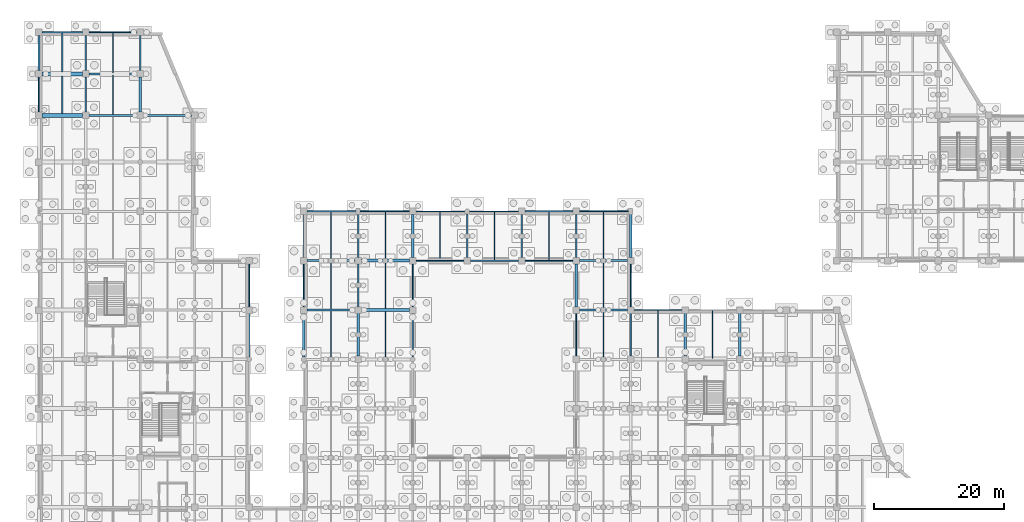
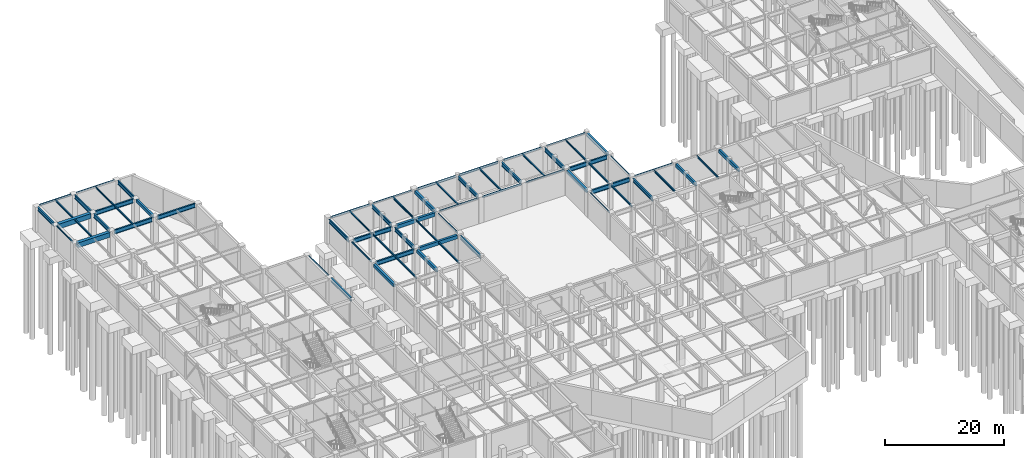
# One storey, part 27 of 52: 68 beams.
"""IFC4 building model written with IfcOpenShell, lengths in metres."""

import ifcopenshell
import ifcopenshell.guid

model = None  # the IFC model being written
_history = None  # IfcOwnerHistory: only IFC2X3 demands one
_inside = {}  # id of a spatial element -> (the spatial element, [elements in it])
_under = {}  # id of a project, library or spatial element -> (it, [spatial elements below it])
_declared = {}  # id of a project -> (the project, [libraries it declares])
_typed = {}  # id of a type object -> (the type object, [elements of that type])
_made_of = {}  # id of a material, layer set ... -> (it, [elements and type objects made of it])


def new_model(schema):
    """Start an empty IFC model of exactly this schema.

    Asked for "IFC4X3", IfcOpenShell would pick the latest addendum, in which some entities
    have other attributes; the version numbers below select the first issue.
    IFC2X3 requires an IfcOwnerHistory on every rooted entity: one is made here for all.
    """
    global model, _history
    if schema == "IFC4X3":
        model = ifcopenshell.file(schema_version=(4, 3, 0, 0))
    else:
        model = ifcopenshell.file(schema=schema)
    _inside.clear()
    _under.clear()
    _declared.clear()
    _typed.clear()
    _made_of.clear()
    _history = None
    if model.schema == "IFC2X3":
        org = make("IfcOrganization", Name="unknown")
        user = make(
            "IfcPersonAndOrganization",
            ThePerson=make("IfcPerson", FamilyName="unknown"),
            TheOrganization=org,
        )
        app = make(
            "IfcApplication",
            ApplicationDeveloper=org,
            Version="unknown",
            ApplicationFullName="unknown",
            ApplicationIdentifier="unknown",
        )
        _history = make(
            "IfcOwnerHistory",
            OwningUser=user,
            OwningApplication=app,
            ChangeAction="ADDED",
            CreationDate=0,
        )
    return model


def make(cls, **values):
    """One entity of the class cls with the attributes given. An attribute that is None is left unset."""
    return model.create_entity(
        cls, **{name: value for name, value in values.items() if value is not None}
    )


def rooted(cls, **values):
    """An entity with a GlobalId (a new one), such as an element, a storey or a relation."""
    return make(cls, GlobalId=ifcopenshell.guid.new(), OwnerHistory=_history, **values)


def si_unit(unit_type, name, prefix=None):
    """IfcSIUnit, for example si_unit("LENGTHUNIT", "METRE", prefix="MILLI")."""
    return make("IfcSIUnit", UnitType=unit_type, Prefix=prefix, Name=name)


def assignment(units):
    """IfcUnitAssignment: the units of a project."""
    return None if units is None else make("IfcUnitAssignment", Units=units)


def point(xyz):
    """IfcCartesianPoint."""
    return None if xyz is None else make("IfcCartesianPoint", Coordinates=xyz)


def direction(xyz):
    """IfcDirection."""
    return None if xyz is None else make("IfcDirection", DirectionRatios=xyz)


def frame(location, z_axis=None, x_axis=None):
    """IfcAxis2Placement3D, a coordinate frame: its origin and axes. An axis left out is left unset."""
    return make(
        "IfcAxis2Placement3D",
        Location=point(location),
        Axis=direction(z_axis),
        RefDirection=direction(x_axis),
    )


def frame_2d(location, x_axis=None):
    """IfcAxis2Placement2D, a coordinate frame in the plane: its origin and x axis."""
    return make(
        "IfcAxis2Placement2D", Location=point(location), RefDirection=direction(x_axis)
    )


def origin():
    """The frame at (0, 0, 0) with its axes left unset."""
    return frame((0.0, 0.0, 0.0))


def origin_2d():
    """The frame at (0, 0) in the plane with its x axis left unset."""
    return frame_2d((0.0, 0.0))


def place(relative_to, where):
    """IfcLocalPlacement: puts the frame where relative to a parent placement (None: the world)."""
    return make(
        "IfcLocalPlacement", PlacementRelTo=relative_to, RelativePlacement=where
    )


def context(
    kind, dimensions, precision=None, world=None, true_north=None, identifier=None
):
    """IfcGeometricRepresentationContext, for example the 3D "Model" context."""
    return make(
        "IfcGeometricRepresentationContext",
        ContextIdentifier=identifier,
        ContextType=kind,
        CoordinateSpaceDimension=dimensions,
        Precision=precision,
        WorldCoordinateSystem=world,
        TrueNorth=true_north,
    )


def subcontext(parent, identifier, kind, view, scale=None):
    """IfcGeometricRepresentationSubContext, for example "Body" below "Model"."""
    return make(
        "IfcGeometricRepresentationSubContext",
        ContextIdentifier=identifier,
        ContextType=kind,
        ParentContext=parent,
        TargetScale=scale,
        TargetView=view,
    )


def project(units=None, contexts=None):
    """IfcProject with its units and contexts."""
    return rooted(
        "IfcProject",
        Name="project",
        RepresentationContexts=contexts,
        UnitsInContext=assignment(units),
    )


def spatial(cls, under=None, at=None, **own):
    """A site, building, storey or space (cls), placed at a placement, below another one or the project."""
    s = rooted(cls, ObjectPlacement=at, **own)
    if under is not None:
        _under.setdefault(under.id(), (under, []))[1].append(s)
    return s


def profile(cls, at=None, kind="AREA", **sizes):
    """A parametric profile (cls). Its sizes go by their IFC names, for example OverallWidth=200.0."""
    return make(cls, ProfileType=kind, Position=at, **sizes)


def rectangle(**sizes):
    """IfcRectangleProfileDef."""
    return profile("IfcRectangleProfileDef", **sizes)


def hollow_rectangle(**sizes):
    """IfcRectangleHollowProfileDef."""
    return profile("IfcRectangleHollowProfileDef", **sizes)


def i_section(**sizes):
    """IfcIShapeProfileDef."""
    return profile("IfcIShapeProfileDef", **sizes)


def extrude(swept, where, along, depth):
    """IfcExtrudedAreaSolid: the profile swept, set in the frame where, extruded along a direction by depth."""
    return make(
        "IfcExtrudedAreaSolid",
        SweptArea=swept,
        Position=where,
        ExtrudedDirection=direction(along),
        Depth=depth,
    )


def shape(context_of_items, identifier, shape_type, items):
    """IfcShapeRepresentation: the items that make up one representation, for example the "Body"."""
    return make(
        "IfcShapeRepresentation",
        ContextOfItems=context_of_items,
        RepresentationIdentifier=identifier,
        RepresentationType=shape_type,
        Items=items,
    )


def material(Name=None, Category=None):
    """IfcMaterial."""
    return make("IfcMaterial", Name=Name, Category=Category)


def material_profile(
    of_material, cross_section, Name=None, Category=None, Priority=None
):
    """IfcMaterialProfile: a cross section and its material."""
    return make(
        "IfcMaterialProfile",
        Name=Name,
        Material=of_material,
        Profile=cross_section,
        Priority=Priority,
        Category=Category,
    )


def profile_set(profiles, Name=None, composite=None):
    """IfcMaterialProfileSet."""
    return make(
        "IfcMaterialProfileSet",
        Name=Name,
        MaterialProfiles=profiles,
        CompositeProfile=composite,
    )


def made_of(thing, what):
    """Note that an element or type object is made of a material, layer set ...; save() writes the relation."""
    if what is not None:
        _made_of.setdefault(what.id(), (what, []))[1].append(thing)
    return thing


def type_object(cls, material=None, **own):
    """A type object (cls), such as IfcWallType, which elements share."""
    return made_of(rooted(cls, **own), material)


def element(
    cls,
    number,
    at=None,
    inside=None,
    cuts=None,
    type_object=None,
    material=None,
    context=None,
    identifier="Body",
    shape_type=None,
    held_by="IfcProductDefinitionShape",
    body=None,
    shapes=None,
    **own,
):
    """One element of the class cls, such as IfcWall. Its Tag is "e" and its number.

    at: its placement. inside: the storey or other place that contains it. cuts: it is an
    opening in that element (IfcRelVoidsElement). A single representation is given by context,
    identifier, shape_type and body (its items); several are given by shapes. held_by: the class
    of the entity that holds the representations. save() writes the other relations.
    """
    e = rooted(cls, Tag="e%d" % number, ObjectPlacement=at, **own)
    if body is not None:
        shapes = [shape(context, identifier, shape_type, body)]
    if shapes is not None:
        e.Representation = make(held_by, Representations=shapes)
    if inside is not None:
        _inside.setdefault(inside.id(), (inside, []))[1].append(e)
    if cuts is not None:
        rooted(
            "IfcRelVoidsElement", RelatingBuildingElement=cuts, RelatedOpeningElement=e
        )
    if type_object is not None:
        _typed.setdefault(type_object.id(), (type_object, []))[1].append(e)
    return made_of(e, material)


def aggregate(whole, parts):
    """IfcRelAggregates: a whole, such as a stair, and the parts it consists of."""
    return rooted("IfcRelAggregates", RelatingObject=whole, RelatedObjects=parts)


def save(model, path):
    """Write the relations noted so far, then the file.

    IfcRelAggregates (storeys below a building ...), IfcRelContainedInSpatialStructure (elements
    in a storey), IfcRelDefinesByType, IfcRelAssociatesMaterial and IfcRelDeclares: one each for
    every whole, place, type object, material and project.
    """
    for whole, parts in _under.values():
        aggregate(whole, parts)
    for where, things in _inside.values():
        rooted(
            "IfcRelContainedInSpatialStructure",
            RelatedElements=things,
            RelatingStructure=where,
        )
    for kind, things in _typed.values():
        rooted("IfcRelDefinesByType", RelatedObjects=things, RelatingType=kind)
    for what, things in _made_of.values():
        rooted("IfcRelAssociatesMaterial", RelatedObjects=things, RelatingMaterial=what)
    for by, libraries in _declared.values():
        rooted("IfcRelDeclares", RelatingContext=by, RelatedDefinitions=libraries)
    model.write(path)


model = new_model("IFC4")

# Units and contexts
model_context = context("Model", 3, precision=1e-05, world=origin(), true_north=direction((0.0, 1.0)))
body_context = subcontext(model_context, "Body", "Model", "MODEL_VIEW")
ifc_project = project(units=[si_unit("LENGTHUNIT", "METRE"), si_unit("AREAUNIT", "SQUARE_METRE"), si_unit("VOLUMEUNIT", "CUBIC_METRE"), si_unit("PLANEANGLEUNIT", "RADIAN"), si_unit("MASSUNIT", "GRAM", prefix="KILO")], contexts=[model_context])

# Site, building, storey
site_placement = place(None, origin())
site = spatial("IfcSite", under=ifc_project, at=site_placement, CompositionType="ELEMENT")
building_placement = place(site_placement, origin())
building = spatial("IfcBuilding", under=site, at=building_placement, Name="Xicomal Pleat Aquarium", CompositionType="ELEMENT")
storey_placement = place(building_placement, frame((0.0, 0.0, -5.39990234375)))
storey = spatial("IfcBuildingStorey", under=building, at=storey_placement, Name="B1", CompositionType="ELEMENT", Elevation=-5.39990234375)

# Beams
ifc_material_1 = material(Name="Concrete C40/50", Category="concrete")
ifc_material_profile_1 = material_profile(ifc_material_1, rectangle(XDim=0.39990234375, YDim=0.64990234375, at=origin_2d()), Name="RC 400x650")
ifc_profile_set_1 = profile_set([ifc_material_profile_1], Name="Concrete C40/50")
beam_type_1 = type_object("IfcBeamType", Name="BM-RC-400x650", PredefinedType="LINTEL", material=ifc_profile_set_1)
beam_1_placement = place(storey_placement, frame((18.60009765625, 98.89501953125, 4.81494140625), z_axis=(0.0, 1.0, 0.0), x_axis=(-1.0, 0.0, 0.0)))
element("IfcBeam", 1, at=beam_1_placement, inside=storey, type_object=beam_type_1, Name="B1 framing beam FGY-B1-03-P-Q", PredefinedType="LINTEL", context=body_context, shape_type="SweptSolid", body=[
    extrude(rectangle(XDim=0.39990234375, YDim=0.64990234375, at=origin_2d()), origin(), (0.0, 0.0, 1.0), 5.409912109375),
])
beam_2_placement = place(storey_placement, frame((43.800048828125, 61.169921875, 4.75), z_axis=(0.0, 1.0, 0.0), x_axis=(-1.0, 0.0, 0.0)))
element("IfcBeam", 2, at=beam_2_placement, inside=storey, type_object=beam_type_1, Name="B1 framing beam FGY-B1-06-J-K", PredefinedType="LINTEL", context=body_context, shape_type="SweptSolid", body=[
    extrude(rectangle(XDim=0.39990234375, YDim=0.64990234375, at=origin_2d()), origin(), (0.0, 0.0, 1.0), 6.735107421875),
])
beam_3_placement = place(storey_placement, frame((52.199951171875, 61.294921875, 4.75), z_axis=(0.0, 1.0, 0.0), x_axis=(-1.0, 0.0, 0.0)))
element("IfcBeam", 3, at=beam_3_placement, inside=storey, type_object=beam_type_1, Name="B1 framing beam FGY-B1-07-J-K", PredefinedType="LINTEL", context=body_context, shape_type="SweptSolid", body=[
    extrude(rectangle(XDim=0.39990234375, YDim=0.64990234375, at=origin_2d()), origin(), (0.0, 0.0, 1.0), 6.610107421875),
])
for number, where, z_axis, x_axis, name in (
    (4, (60.60009765625, 76.4951171875, 4.75), (0.0, 1.0, 0.0), (-1.0, 0.0, 0.0), "B1 framing beam FGY-B1-08-L-M"),
    (5, (85.800048828125, 68.89501953125, 4.75), (0.0, 1.0, 0.0), (-1.0, 0.0, 0.0), "B1 framing beam FGY-B1-11-K-L"),
):
    element("IfcBeam", number, at=place(storey_placement, frame(where, z_axis=z_axis, x_axis=x_axis)), inside=storey, type_object=beam_type_1, Name=name, PredefinedType="LINTEL", context=body_context, shape_type="SweptSolid", body=[
        extrude(rectangle(XDim=0.39990234375, YDim=0.64990234375, at=origin_2d()), origin(), (0.0, 0.0, 1.0), 6.60986328125),
    ])
beam_4_placement = place(storey_placement, frame((94.199951171875, 76.4951171875, 4.75), z_axis=(0.0, 1.0, 0.0), x_axis=(-1.0, 0.0, 0.0)))
element("IfcBeam", 6, at=beam_4_placement, inside=storey, type_object=beam_type_1, Name="B1 framing beam FGY-B1-12-L-M", PredefinedType="LINTEL", context=body_context, shape_type="SweptSolid", body=[
    extrude(rectangle(XDim=0.39990234375, YDim=0.64990234375, at=origin_2d()), origin(), (0.0, 0.0, 1.0), 6.809814453125),
])
for number, where, z_axis, x_axis, name in (
    (7, (102.60009765625, 61.294921875, 4.81494140625), (0.0, 1.0, 0.0), (-1.0, 0.0, 0.0), "B1 framing beam FGY-B1-13-J-K"),
    (8, (111.0, 61.294921875, 4.81494140625), (0.0, 1.0, 0.0), (-1.0, 0.0, 0.0), "B1 framing beam FGY-B1-14-J-K"),
):
    element("IfcBeam", number, at=place(storey_placement, frame(where, z_axis=z_axis, x_axis=x_axis)), inside=storey, type_object=beam_type_1, Name=name, PredefinedType="LINTEL", context=body_context, shape_type="SweptSolid", body=[
        extrude(rectangle(XDim=0.39990234375, YDim=0.64990234375, at=origin_2d()), origin(), (0.0, 0.0, 1.0), 6.610107421875),
    ])
ifc_material_2 = material(Name="Concrete C40/50", Category="concrete")
ifc_material_profile_2 = material_profile(ifc_material_2, rectangle(XDim=0.449951171875, YDim=0.75, at=origin_2d()), Name="RC 450x750")
ifc_profile_set_2 = profile_set([ifc_material_profile_2], Name="Concrete C40/50")
beam_type_2 = type_object("IfcBeamType", Name="BM-RC-450x750", PredefinedType="BEAM", material=ifc_profile_set_2)
for number, where, z_axis, x_axis, name in (
    (9, (52.695068359375, 68.39990234375, 4.699951171875), (1.0, 0.0, 0.0), (0.0, 1.0, 0.0), "B1 framing beam FGX-B1-07-08-K"),
    (10, (52.695068359375, 76.0, 4.699951171875), (1.0, 0.0, 0.0), (0.0, 1.0, 0.0), "B1 framing beam FGX-B1-07-08-L"),
):
    element("IfcBeam", number, at=place(storey_placement, frame(where, z_axis=z_axis, x_axis=x_axis)), inside=storey, type_object=beam_type_2, Name=name, PredefinedType="BEAM", context=body_context, shape_type="SweptSolid", body=[
        extrude(rectangle(XDim=0.449951171875, YDim=0.75, at=origin_2d()), origin(), (0.0, 0.0, 1.0), 7.409912109375),
    ])
ifc_material_3 = material(Name="Concrete C40/50", Category="concrete")
ifc_material_profile_3 = material_profile(ifc_material_3, rectangle(XDim=0.60009765625, YDim=1.0, at=origin_2d()), Name="RC 600x1000")
ifc_profile_set_3 = profile_set([ifc_material_profile_3], Name="Concrete C40/50")
beam_type_3 = type_object("IfcBeamType", Name="BM-RC-600x1000", PredefinedType="T_BEAM", material=ifc_profile_set_3)
for number, where, z_axis, x_axis, name in (
    (11, (3.4951171875, 98.39990234375, 4.639892578125), (1.0, 0.0, 0.0), (0.0, 1.0, 0.0), "B1 framing beam FGX-B1-01-02-P"),
    (12, (3.4951171875, 104.800048828125, 4.639892578125), (1.0, 0.0, 0.0), (0.0, 1.0, 0.0), "B1 framing beam FGX-B1-01-02-Q"),
):
    element("IfcBeam", number, at=place(storey_placement, frame(where, z_axis=z_axis, x_axis=x_axis)), inside=storey, type_object=beam_type_3, Name=name, PredefinedType="T_BEAM", context=body_context, shape_type="SweptSolid", body=[
        extrude(rectangle(XDim=0.60009765625, YDim=1.0, at=origin_2d()), origin(), (0.0, 0.0, 1.0), 6.2099609375),
    ])
ifc_material_4 = material(Name="Structural steel A992 Gr 50", Category="steel")
ifc_material_profile_4 = material_profile(ifc_material_4, i_section(OverallWidth=0.201904296875, OverallDepth=0.2470703125, WebThickness=0.00732421875, FlangeThickness=0.010986328125, at=origin_2d()), Name="IR 250x49")
ifc_profile_set_4 = profile_set([ifc_material_profile_4], Name="Structural steel A992 Gr 50")
beam_type_4 = type_object("IfcBeamType", Name="BM-STL-IR250", PredefinedType="JOIST", material=ifc_profile_set_4)
beam_5_placement = place(storey_placement, frame((14.39990234375, 104.949951171875, 5.016357421875), z_axis=(0.0, 1.0, 0.0), x_axis=(-1.0, 0.0, 0.0)))
element("IfcBeam", 13, at=beam_5_placement, inside=storey, type_object=beam_type_4, Name="B1 framing beam FBJ-B1-02-Q-1", PredefinedType="JOIST", context=body_context, shape_type="SweptSolid", body=[
    extrude(i_section(OverallWidth=0.201904296875, OverallDepth=0.2470703125, WebThickness=0.00732421875, FlangeThickness=0.010986328125, at=origin_2d()), origin(), (0.0, 0.0, 1.0), 6.172119140625),
])
beam_6_placement = place(storey_placement, frame((48.0, 76.14990234375, 4.951416015625), z_axis=(0.0, 1.0, 0.0), x_axis=(-1.0, 0.0, 0.0)))
element("IfcBeam", 14, at=beam_6_placement, inside=storey, type_object=beam_type_4, Name="B1 framing beam FBJ-B1-06-L-1", PredefinedType="JOIST", context=body_context, shape_type="SweptSolid", body=[
    extrude(i_section(OverallWidth=0.201904296875, OverallDepth=0.2470703125, WebThickness=0.00732421875, FlangeThickness=0.010986328125, at=origin_2d()), origin(), (0.0, 0.0, 1.0), 7.34716796875),
])
beam_7_placement = place(storey_placement, frame((56.39990234375, 68.6279296875, 4.951416015625), z_axis=(0.0, 1.0, 0.0), x_axis=(-1.0, 0.0, 0.0)))
element("IfcBeam", 15, at=beam_7_placement, inside=storey, type_object=beam_type_4, Name="B1 framing beam FBJ-B1-07-K-1", PredefinedType="JOIST", context=body_context, shape_type="SweptSolid", body=[
    extrude(i_section(OverallWidth=0.201904296875, OverallDepth=0.2470703125, WebThickness=0.00732421875, FlangeThickness=0.010986328125, at=origin_2d()), origin(), (0.0, 0.0, 1.0), 7.14404296875),
])
beam_8_placement = place(storey_placement, frame((64.800048828125, 76.077880859375, 4.951416015625), z_axis=(0.0, 1.0, 0.0), x_axis=(-1.0, 0.0, 0.0)))
element("IfcBeam", 16, at=beam_8_placement, inside=storey, type_object=beam_type_4, Name="B1 framing beam FBJ-B1-08-L-1", PredefinedType="JOIST", context=body_context, shape_type="SweptSolid", body=[
    extrude(i_section(OverallWidth=0.201904296875, OverallDepth=0.2470703125, WebThickness=0.00732421875, FlangeThickness=0.010986328125, at=origin_2d()), origin(), (0.0, 0.0, 1.0), 7.422119140625),
])
beam_9_placement = place(storey_placement, frame((81.60009765625, 76.077880859375, 4.951416015625), z_axis=(0.0, 1.0, 0.0), x_axis=(-1.0, 0.0, 0.0)))
element("IfcBeam", 17, at=beam_9_placement, inside=storey, type_object=beam_type_4, Name="B1 framing beam FBJ-B1-10-L-1", PredefinedType="JOIST", context=body_context, shape_type="SweptSolid", body=[
    extrude(i_section(OverallWidth=0.201904296875, OverallDepth=0.2470703125, WebThickness=0.00732421875, FlangeThickness=0.010986328125, at=origin_2d()), origin(), (0.0, 0.0, 1.0), 7.419189453125),
])
beam_10_placement = place(storey_placement, frame((90.0, 76.14990234375, 4.951416015625), z_axis=(0.0, 1.0, 0.0), x_axis=(-1.0, 0.0, 0.0)))
element("IfcBeam", 18, at=beam_10_placement, inside=storey, type_object=beam_type_4, Name="B1 framing beam FBJ-B1-11-L-1", PredefinedType="JOIST", context=body_context, shape_type="SweptSolid", body=[
    extrude(i_section(OverallWidth=0.201904296875, OverallDepth=0.2470703125, WebThickness=0.00732421875, FlangeThickness=0.010986328125, at=origin_2d()), origin(), (0.0, 0.0, 1.0), 7.3720703125),
])
ifc_material_5 = material(Name="Structural steel A992 Gr 50", Category="steel")
ifc_material_profile_5 = material_profile(ifc_material_5, i_section(OverallWidth=0.202880859375, OverallDepth=0.302978515625, WebThickness=0.007568359375, FlangeThickness=0.01318359375, at=origin_2d()), Name="IR 310x60")
ifc_profile_set_5 = profile_set([ifc_material_profile_5], Name="Structural steel A992 Gr 50")
beam_type_5 = type_object("IfcBeamType", Name="BM-STL-IR310", PredefinedType="JOIST", material=ifc_profile_set_5)
beam_11_placement = place(storey_placement, frame((6.60009765625, 105.10302734375, 4.98828125), z_axis=(0.0, 1.0, 0.0), x_axis=(-1.0, 0.0, 0.0)))
element("IfcBeam", 19, at=beam_11_placement, inside=storey, type_object=beam_type_5, Name="B1 framing beam FBJ-B1-01-Q-1", PredefinedType="JOIST", context=body_context, shape_type="SweptSolid", body=[
    extrude(i_section(OverallWidth=0.202880859375, OverallDepth=0.302978515625, WebThickness=0.007568359375, FlangeThickness=0.01318359375, at=origin_2d()), origin(), (0.0, 0.0, 1.0), 5.993896484375),
])
beam_12_placement = place(storey_placement, frame((14.39990234375, 98.550048828125, 4.98828125), z_axis=(0.0, 1.0, 0.0), x_axis=(-1.0, 0.0, 0.0)))
element("IfcBeam", 20, at=beam_12_placement, inside=storey, type_object=beam_type_5, Name="B1 framing beam FBJ-B1-02-P-1", PredefinedType="JOIST", context=body_context, shape_type="SweptSolid", body=[
    extrude(i_section(OverallWidth=0.202880859375, OverallDepth=0.302978515625, WebThickness=0.007568359375, FlangeThickness=0.01318359375, at=origin_2d()), origin(), (0.0, 0.0, 1.0), 6.099853515625),
])
beam_13_placement = place(storey_placement, frame((48.0, 68.550048828125, 4.92333984375), z_axis=(0.0, 1.0, 0.0), x_axis=(-1.0, 0.0, 0.0)))
element("IfcBeam", 21, at=beam_13_placement, inside=storey, type_object=beam_type_5, Name="B1 framing beam FBJ-B1-06-K-1", PredefinedType="JOIST", context=body_context, shape_type="SweptSolid", body=[
    extrude(i_section(OverallWidth=0.202880859375, OverallDepth=0.302978515625, WebThickness=0.007568359375, FlangeThickness=0.01318359375, at=origin_2d()), origin(), (0.0, 0.0, 1.0), 7.300048828125),
])
beam_14_placement = place(storey_placement, frame((56.39990234375, 61.028076171875, 4.92333984375), z_axis=(0.0, 1.0, 0.0), x_axis=(-1.0, 0.0, 0.0)))
element("IfcBeam", 22, at=beam_14_placement, inside=storey, type_object=beam_type_5, Name="B1 framing beam FBJ-B1-07-J-1", PredefinedType="JOIST", context=body_context, shape_type="SweptSolid", body=[
    extrude(i_section(OverallWidth=0.202880859375, OverallDepth=0.302978515625, WebThickness=0.007568359375, FlangeThickness=0.01318359375, at=origin_2d()), origin(), (0.0, 0.0, 1.0), 7.14404296875),
])
beam_15_placement = place(storey_placement, frame((73.199951171875, 76.10302734375, 4.92333984375), z_axis=(0.0, 1.0, 0.0), x_axis=(-1.0, 0.0, 0.0)))
element("IfcBeam", 23, at=beam_15_placement, inside=storey, type_object=beam_type_5, Name="B1 framing beam FBJ-B1-09-L-1", PredefinedType="JOIST", context=body_context, shape_type="SweptSolid", body=[
    extrude(i_section(OverallWidth=0.202880859375, OverallDepth=0.302978515625, WebThickness=0.007568359375, FlangeThickness=0.01318359375, at=origin_2d()), origin(), (0.0, 0.0, 1.0), 7.39697265625),
])
beam_16_placement = place(storey_placement, frame((90.0, 68.550048828125, 4.92333984375), z_axis=(0.0, 1.0, 0.0), x_axis=(-1.0, 0.0, 0.0)))
element("IfcBeam", 24, at=beam_16_placement, inside=storey, type_object=beam_type_5, Name="B1 framing beam FBJ-B1-11-K-1", PredefinedType="JOIST", context=body_context, shape_type="SweptSolid", body=[
    extrude(i_section(OverallWidth=0.202880859375, OverallDepth=0.302978515625, WebThickness=0.007568359375, FlangeThickness=0.01318359375, at=origin_2d()), origin(), (0.0, 0.0, 1.0), 7.300048828125),
])
ifc_material_6 = material(Name="Structural steel A992 Gr 50", Category="steel")
ifc_material_profile_6 = material_profile(ifc_material_6, i_section(OverallWidth=0.205078125, OverallDepth=0.35400390625, WebThickness=0.009521484375, FlangeThickness=0.016845703125, at=origin_2d()), Name="IR 360x79")
ifc_profile_set_6 = profile_set([ifc_material_profile_6], Name="Structural steel A992 Gr 50")
beam_type_6 = type_object("IfcBeamType", Name="BM-STL-IR360", PredefinedType="JOIST", material=ifc_profile_set_6)
beam_17_placement = place(storey_placement, frame((6.60009765625, 98.702880859375, 4.962890625), z_axis=(0.0, 1.0, 0.0), x_axis=(-1.0, 0.0, 0.0)))
element("IfcBeam", 25, at=beam_17_placement, inside=storey, type_object=beam_type_6, Name="B1 framing beam FBJ-B1-01-P-1", PredefinedType="JOIST", context=body_context, shape_type="SweptSolid", body=[
    extrude(i_section(OverallWidth=0.205078125, OverallDepth=0.35400390625, WebThickness=0.009521484375, FlangeThickness=0.016845703125, at=origin_2d()), origin(), (0.0, 0.0, 1.0), 5.794189453125),
])
for number, where, z_axis, x_axis, name in (
    (26, (48.0, 60.949951171875, 4.89794921875), (0.0, 1.0, 0.0), (-1.0, 0.0, 0.0), "B1 framing beam FBJ-B1-06-J-1"),
    (27, (90.0, 60.949951171875, 4.89794921875), (0.0, 1.0, 0.0), (-1.0, 0.0, 0.0), "B1 framing beam FBJ-B1-11-J-1"),
):
    element("IfcBeam", number, at=place(storey_placement, frame(where, z_axis=z_axis, x_axis=x_axis)), inside=storey, type_object=beam_type_6, Name=name, PredefinedType="JOIST", context=body_context, shape_type="SweptSolid", body=[
        extrude(i_section(OverallWidth=0.205078125, OverallDepth=0.35400390625, WebThickness=0.009521484375, FlangeThickness=0.016845703125, at=origin_2d()), origin(), (0.0, 0.0, 1.0), 7.300048828125),
    ])
beam_18_placement = place(storey_placement, frame((98.39990234375, 61.052978515625, 4.962890625), z_axis=(0.0, 1.0, 0.0), x_axis=(-1.0, 0.0, 0.0)))
element("IfcBeam", 28, at=beam_18_placement, inside=storey, type_object=beam_type_6, Name="B1 framing beam FBJ-B1-12-J-1", PredefinedType="JOIST", context=body_context, shape_type="SweptSolid", body=[
    extrude(i_section(OverallWidth=0.205078125, OverallDepth=0.35400390625, WebThickness=0.009521484375, FlangeThickness=0.016845703125, at=origin_2d()), origin(), (0.0, 0.0, 1.0), 7.26904296875),
])
ifc_material_7 = material(Name="Structural steel A992 Gr 50", Category="steel")
ifc_material_profile_7 = material_profile(ifc_material_7, i_section(OverallWidth=0.180908203125, OverallDepth=0.4169921875, WebThickness=0.010986328125, FlangeThickness=0.018310546875, at=origin_2d()), Name="IR 410x85")
ifc_profile_set_7 = profile_set([ifc_material_profile_7], Name="Structural steel A992 Gr 50")
beam_type_7 = type_object("IfcBeamType", Name="BM-STL-IR410", PredefinedType="JOIST", material=ifc_profile_set_7)
beam_19_placement = place(storey_placement, frame((56.39990234375, 76.22802734375, 4.866455078125), z_axis=(0.0, 1.0, 0.0), x_axis=(-1.0, 0.0, 0.0)))
element("IfcBeam", 29, at=beam_19_placement, inside=storey, type_object=beam_type_7, Name="B1 framing beam FBJ-B1-07-L-1", PredefinedType="JOIST", context=body_context, shape_type="SweptSolid", body=[
    extrude(i_section(OverallWidth=0.180908203125, OverallDepth=0.4169921875, WebThickness=0.010986328125, FlangeThickness=0.018310546875, at=origin_2d()), origin(), (0.0, 0.0, 1.0), 7.2939453125),
])
beam_20_placement = place(storey_placement, frame((106.800048828125, 60.949951171875, 4.931396484375), z_axis=(0.0, 1.0, 0.0), x_axis=(-1.0, 0.0, 0.0)))
element("IfcBeam", 30, at=beam_20_placement, inside=storey, type_object=beam_type_7, Name="B1 framing beam FBJ-B1-13-J-1", PredefinedType="JOIST", context=body_context, shape_type="SweptSolid", body=[
    extrude(i_section(OverallWidth=0.180908203125, OverallDepth=0.4169921875, WebThickness=0.010986328125, FlangeThickness=0.018310546875, at=origin_2d()), origin(), (0.0, 0.0, 1.0), 7.34716796875),
])
ifc_material_8 = material(Name="Structural steel A992 Gr 50", Category="steel")
ifc_material_profile_8 = material_profile(ifc_material_8, i_section(OverallWidth=0.194091796875, OverallDepth=0.468994140625, WebThickness=0.0126953125, FlangeThickness=0.0205078125, at=origin_2d()), Name="IR 460x106")
ifc_profile_set_8 = profile_set([ifc_material_profile_8], Name="Structural steel A992 Gr 50")
beam_type_8 = type_object("IfcBeamType", Name="BM-STL-IR460", PredefinedType="BEAM", material=ifc_profile_set_8)
for number, where, z_axis, x_axis, name in (
    (31, (61.094970703125, 83.60009765625, 4.84033203125), (1.0, 0.0, 0.0), (0.0, 1.0, 0.0), "B1 framing beam FGX-B1-08-09-M"),
    (32, (69.3701171875, 83.60009765625, 4.84033203125), (1.0, 0.0, 0.0), (0.0, 1.0, 0.0), "B1 framing beam FGX-B1-09-10-M"),
):
    element("IfcBeam", number, at=place(storey_placement, frame(where, z_axis=z_axis, x_axis=x_axis)), inside=storey, type_object=beam_type_8, Name=name, PredefinedType="BEAM", context=body_context, shape_type="SweptSolid", body=[
        extrude(i_section(OverallWidth=0.194091796875, OverallDepth=0.468994140625, WebThickness=0.0126953125, FlangeThickness=0.0205078125, at=origin_2d()), origin(), (0.0, 0.0, 1.0), 7.534912109375),
    ])
ifc_material_9 = material(Name="Structural steel A992 Gr 50", Category="steel")
ifc_material_profile_9 = material_profile(ifc_material_9, i_section(OverallWidth=0.26806640625, OverallDepth=0.77001953125, WebThickness=0.015625, FlangeThickness=0.025390625, at=origin_2d()), Name="IR 760x196")
ifc_profile_set_9 = profile_set([ifc_material_profile_9], Name="Structural steel A992 Gr 50")
beam_type_9 = type_object("IfcBeamType", Name="BM-STL-IR760", PredefinedType="BEAM", material=ifc_profile_set_9)
beam_21_placement = place(storey_placement, frame((3.0, 105.294921875, 4.7548828125), z_axis=(0.0, 1.0, 0.0), x_axis=(-1.0, 0.0, 0.0)))
element("IfcBeam", 33, at=beam_21_placement, inside=storey, type_object=beam_type_9, Name="B1 framing beam FGY-B1-01-Q-R", PredefinedType="BEAM", context=body_context, shape_type="SweptSolid", body=[
    extrude(i_section(OverallWidth=0.26806640625, OverallDepth=0.77001953125, WebThickness=0.015625, FlangeThickness=0.025390625, at=origin_2d()), origin(), (0.0, 0.0, 1.0), 5.41015625),
])
beam_22_placement = place(storey_placement, frame((10.199951171875, 98.89501953125, 4.7548828125), z_axis=(0.0, 1.0, 0.0), x_axis=(-1.0, 0.0, 0.0)))
element("IfcBeam", 34, at=beam_22_placement, inside=storey, type_object=beam_type_9, Name="B1 framing beam FGY-B1-02-P-Q", PredefinedType="BEAM", context=body_context, shape_type="SweptSolid", body=[
    extrude(i_section(OverallWidth=0.26806640625, OverallDepth=0.77001953125, WebThickness=0.015625, FlangeThickness=0.025390625, at=origin_2d()), origin(), (0.0, 0.0, 1.0), 5.409912109375),
])
for number, where, z_axis, x_axis, name in (
    (35, (10.199951171875, 105.294921875, 4.7548828125), (0.0, 1.0, 0.0), (-1.0, 0.0, 0.0), "B1 framing beam FGY-B1-02-Q-R"),
    (36, (18.60009765625, 105.294921875, 4.7548828125), (0.0, 1.0, 0.0), (-1.0, 0.0, 0.0), "B1 framing beam FGY-B1-03-Q-R"),
):
    element("IfcBeam", number, at=place(storey_placement, frame(where, z_axis=z_axis, x_axis=x_axis)), inside=storey, type_object=beam_type_9, Name=name, PredefinedType="BEAM", context=body_context, shape_type="SweptSolid", body=[
        extrude(i_section(OverallWidth=0.26806640625, OverallDepth=0.77001953125, WebThickness=0.015625, FlangeThickness=0.025390625, at=origin_2d()), origin(), (0.0, 0.0, 1.0), 5.41015625),
    ])
beam_23_placement = place(storey_placement, frame((35.39990234375, 61.169921875, 4.7548828125), z_axis=(0.0, 1.0, 0.0), x_axis=(-1.0, 0.0, 0.0)))
element("IfcBeam", 37, at=beam_23_placement, inside=storey, type_object=beam_type_9, Name="B1 framing beam FGY-B1-05-J-K", PredefinedType="BEAM", context=body_context, shape_type="SweptSolid", body=[
    extrude(i_section(OverallWidth=0.26806640625, OverallDepth=0.77001953125, WebThickness=0.015625, FlangeThickness=0.025390625, at=origin_2d()), origin(), (0.0, 0.0, 1.0), 6.735107421875),
])
for number, where, z_axis, x_axis, name in (
    (38, (43.800048828125, 76.4951171875, 4.68994140625), (0.0, 1.0, 0.0), (-1.0, 0.0, 0.0), "B1 framing beam FGY-B1-06-L-M"),
    (39, (52.199951171875, 68.89501953125, 4.68994140625), (0.0, 1.0, 0.0), (-1.0, 0.0, 0.0), "B1 framing beam FGY-B1-07-K-L"),
):
    element("IfcBeam", number, at=place(storey_placement, frame(where, z_axis=z_axis, x_axis=x_axis)), inside=storey, type_object=beam_type_9, Name=name, PredefinedType="BEAM", context=body_context, shape_type="SweptSolid", body=[
        extrude(i_section(OverallWidth=0.26806640625, OverallDepth=0.77001953125, WebThickness=0.015625, FlangeThickness=0.025390625, at=origin_2d()), origin(), (0.0, 0.0, 1.0), 6.60986328125),
    ])
beam_24_placement = place(storey_placement, frame((52.199951171875, 76.4951171875, 4.68994140625), z_axis=(0.0, 1.0, 0.0), x_axis=(-1.0, 0.0, 0.0)))
element("IfcBeam", 40, at=beam_24_placement, inside=storey, type_object=beam_type_9, Name="B1 framing beam FGY-B1-07-L-M", PredefinedType="BEAM", context=body_context, shape_type="SweptSolid", body=[
    extrude(i_section(OverallWidth=0.26806640625, OverallDepth=0.77001953125, WebThickness=0.015625, FlangeThickness=0.025390625, at=origin_2d()), origin(), (0.0, 0.0, 1.0), 6.809814453125),
])
beam_25_placement = place(storey_placement, frame((60.60009765625, 61.169921875, 4.68994140625), z_axis=(0.0, 1.0, 0.0), x_axis=(-1.0, 0.0, 0.0)))
element("IfcBeam", 41, at=beam_25_placement, inside=storey, type_object=beam_type_9, Name="B1 framing beam FGY-B1-08-J-K", PredefinedType="BEAM", context=body_context, shape_type="SweptSolid", body=[
    extrude(i_section(OverallWidth=0.26806640625, OverallDepth=0.77001953125, WebThickness=0.015625, FlangeThickness=0.025390625, at=origin_2d()), origin(), (0.0, 0.0, 1.0), 6.735107421875),
])
beam_26_placement = place(storey_placement, frame((69.0, 76.4951171875, 4.68994140625), z_axis=(0.0, 1.0, 0.0), x_axis=(-1.0, 0.0, 0.0)))
element("IfcBeam", 42, at=beam_26_placement, inside=storey, type_object=beam_type_9, Name="B1 framing beam FGY-B1-09-L-M", PredefinedType="BEAM", context=body_context, shape_type="SweptSolid", body=[
    extrude(i_section(OverallWidth=0.26806640625, OverallDepth=0.77001953125, WebThickness=0.015625, FlangeThickness=0.025390625, at=origin_2d()), origin(), (0.0, 0.0, 1.0), 6.73486328125),
])
for number, where, z_axis, x_axis, name in (
    (43, (77.39990234375, 76.4951171875, 4.68994140625), (0.0, 1.0, 0.0), (-1.0, 0.0, 0.0), "B1 framing beam FGY-B1-10-L-M"),
    (44, (85.800048828125, 76.4951171875, 4.68994140625), (0.0, 1.0, 0.0), (-1.0, 0.0, 0.0), "B1 framing beam FGY-B1-11-L-M"),
):
    element("IfcBeam", number, at=place(storey_placement, frame(where, z_axis=z_axis, x_axis=x_axis)), inside=storey, type_object=beam_type_9, Name=name, PredefinedType="BEAM", context=body_context, shape_type="SweptSolid", body=[
        extrude(i_section(OverallWidth=0.26806640625, OverallDepth=0.77001953125, WebThickness=0.015625, FlangeThickness=0.025390625, at=origin_2d()), origin(), (0.0, 0.0, 1.0), 6.60986328125),
    ])
beam_27_placement = place(storey_placement, frame((94.199951171875, 61.294921875, 4.68994140625), z_axis=(0.0, 1.0, 0.0), x_axis=(-1.0, 0.0, 0.0)))
element("IfcBeam", 45, at=beam_27_placement, inside=storey, type_object=beam_type_9, Name="B1 framing beam FGY-B1-12-J-K", PredefinedType="BEAM", context=body_context, shape_type="SweptSolid", body=[
    extrude(i_section(OverallWidth=0.26806640625, OverallDepth=0.77001953125, WebThickness=0.015625, FlangeThickness=0.025390625, at=origin_2d()), origin(), (0.0, 0.0, 1.0), 6.610107421875),
])
ifc_material_10 = material(Name="Structural steel A992 Gr 50", Category="steel")
ifc_material_profile_10 = material_profile(ifc_material_10, i_section(OverallWidth=0.2939453125, OverallDepth=0.85107421875, WebThickness=0.01611328125, FlangeThickness=0.02685546875, at=origin_2d()), Name="IR 840x226")
ifc_profile_set_10 = profile_set([ifc_material_profile_10], Name="Structural steel A992 Gr 50")
beam_type_10 = type_object("IfcBeamType", Name="BM-STL-IR840", PredefinedType="BEAM", material=ifc_profile_set_10)
for number, where, z_axis, x_axis, name in (
    (46, (44.294921875, 68.39990234375, 4.6494140625), (1.0, 0.0, 0.0), (0.0, 1.0, 0.0), "B1 framing beam FGX-B1-06-07-K"),
    (47, (86.294921875, 68.39990234375, 4.6494140625), (1.0, 0.0, 0.0), (0.0, 1.0, 0.0), "B1 framing beam FGX-B1-11-12-K"),
    (48, (44.294921875, 76.0, 4.6494140625), (1.0, 0.0, 0.0), (0.0, 1.0, 0.0), "B1 framing beam FGX-B1-06-07-L"),
    (49, (86.294921875, 76.0, 4.6494140625), (1.0, 0.0, 0.0), (0.0, 1.0, 0.0), "B1 framing beam FGX-B1-11-12-L"),
):
    element("IfcBeam", number, at=place(storey_placement, frame(where, z_axis=z_axis, x_axis=x_axis)), inside=storey, type_object=beam_type_10, Name=name, PredefinedType="BEAM", context=body_context, shape_type="SweptSolid", body=[
        extrude(i_section(OverallWidth=0.2939453125, OverallDepth=0.85107421875, WebThickness=0.01611328125, FlangeThickness=0.02685546875, at=origin_2d()), origin(), (0.0, 0.0, 1.0), 7.41015625),
    ])
for number, where, z_axis, x_axis, name in (
    (50, (10.695068359375, 98.39990234375, 4.71435546875), (1.0, 0.0, 0.0), (0.0, 1.0, 0.0), "B1 framing beam FGX-B1-02-03-P"),
    (51, (19.094970703125, 98.39990234375, 4.71435546875), (1.0, 0.0, 0.0), (0.0, 1.0, 0.0), "B1 framing beam FGX-B1-03-04-P"),
    (52, (10.695068359375, 104.800048828125, 4.71435546875), (1.0, 0.0, 0.0), (0.0, 1.0, 0.0), "B1 framing beam FGX-B1-02-03-Q"),
):
    element("IfcBeam", number, at=place(storey_placement, frame(where, z_axis=z_axis, x_axis=x_axis)), inside=storey, type_object=beam_type_10, Name=name, PredefinedType="BEAM", context=body_context, shape_type="SweptSolid", body=[
        extrude(i_section(OverallWidth=0.2939453125, OverallDepth=0.85107421875, WebThickness=0.01611328125, FlangeThickness=0.02685546875, at=origin_2d()), origin(), (0.0, 0.0, 1.0), 7.409912109375),
    ])
ifc_material_11 = material(Name="Structural steel A500 Gr C", Category="steel")
ifc_material_profile_11 = material_profile(ifc_material_11, hollow_rectangle(XDim=0.14990234375, YDim=0.25, WallThickness=0.010009765625, at=origin_2d()), Name="OR 250x150x10")
ifc_profile_set_11 = profile_set([ifc_material_profile_11], Name="Structural steel A500 Gr C")
beam_type_11 = type_object("IfcBeamType", Name="BM-STL-OR250", PredefinedType="SPANDREL", material=ifc_profile_set_11)
for number, where, z_axis, x_axis, name in (
    (53, (94.695068359375, 68.39990234375, 5.014892578125), (1.0, 0.0, 0.0), (0.0, 1.0, 0.0), "B1 framing beam FGX-B1-12-13-K"),
    (54, (61.094970703125, 76.0, 4.949951171875), (1.0, 0.0, 0.0), (0.0, 1.0, 0.0), "B1 framing beam FGX-B1-08-09-L"),
    (55, (77.89501953125, 76.0, 4.949951171875), (1.0, 0.0, 0.0), (0.0, 1.0, 0.0), "B1 framing beam FGX-B1-10-11-L"),
):
    element("IfcBeam", number, at=place(storey_placement, frame(where, z_axis=z_axis, x_axis=x_axis)), inside=storey, type_object=beam_type_11, Name=name, PredefinedType="SPANDREL", context=body_context, shape_type="SweptSolid", body=[
        extrude(hollow_rectangle(XDim=0.14990234375, YDim=0.25, WallThickness=0.010009765625, at=origin_2d()), origin(), (0.0, 0.0, 1.0), 7.409912109375),
    ])
beam_28_placement = place(storey_placement, frame((52.4951171875, 83.60009765625, 4.949951171875), z_axis=(1.0, 0.0, 0.0), x_axis=(0.0, 1.0, 0.0)))
element("IfcBeam", 56, at=beam_28_placement, inside=storey, type_object=beam_type_11, Name="B1 framing beam FGX-B1-07-08-M", PredefinedType="SPANDREL", context=body_context, shape_type="SweptSolid", body=[
    extrude(hollow_rectangle(XDim=0.14990234375, YDim=0.25, WallThickness=0.010009765625, at=origin_2d()), origin(), (0.0, 0.0, 1.0), 7.60986328125),
])
beam_29_placement = place(storey_placement, frame((86.294921875, 83.60009765625, 4.949951171875), z_axis=(1.0, 0.0, 0.0), x_axis=(0.0, 1.0, 0.0)))
element("IfcBeam", 57, at=beam_29_placement, inside=storey, type_object=beam_type_11, Name="B1 framing beam FGX-B1-11-12-M", PredefinedType="SPANDREL", context=body_context, shape_type="SweptSolid", body=[
    extrude(hollow_rectangle(XDim=0.14990234375, YDim=0.25, WallThickness=0.010009765625, at=origin_2d()), origin(), (0.0, 0.0, 1.0), 7.610107421875),
])
beam_30_placement = place(storey_placement, frame((10.695068359375, 111.199951171875, 5.014892578125), z_axis=(1.0, 0.0, 0.0), x_axis=(0.0, 1.0, 0.0)))
element("IfcBeam", 58, at=beam_30_placement, inside=storey, type_object=beam_type_11, Name="B1 framing beam FGX-B1-02-03-R", PredefinedType="SPANDREL", context=body_context, shape_type="SweptSolid", body=[
    extrude(hollow_rectangle(XDim=0.14990234375, YDim=0.25, WallThickness=0.010009765625, at=origin_2d()), origin(), (0.0, 0.0, 1.0), 7.409912109375),
])
beam_31_placement = place(storey_placement, frame((3.0, 98.89501953125, 5.014892578125), z_axis=(0.0, 1.0, 0.0), x_axis=(-1.0, 0.0, 0.0)))
element("IfcBeam", 59, at=beam_31_placement, inside=storey, type_object=beam_type_11, Name="B1 framing beam FGY-B1-01-P-Q", PredefinedType="SPANDREL", context=body_context, shape_type="SweptSolid", body=[
    extrude(hollow_rectangle(XDim=0.14990234375, YDim=0.25, WallThickness=0.010009765625, at=origin_2d()), origin(), (0.0, 0.0, 1.0), 5.409912109375),
])
for number, where, z_axis, x_axis, name in (
    (60, (35.39990234375, 68.89501953125, 5.014892578125), (0.0, 1.0, 0.0), (-1.0, 0.0, 0.0), "B1 framing beam FGY-B1-05-K-L"),
    (61, (43.800048828125, 68.89501953125, 4.949951171875), (0.0, 1.0, 0.0), (-1.0, 0.0, 0.0), "B1 framing beam FGY-B1-06-K-L"),
    (62, (60.60009765625, 68.89501953125, 4.949951171875), (0.0, 1.0, 0.0), (-1.0, 0.0, 0.0), "B1 framing beam FGY-B1-08-K-L"),
):
    element("IfcBeam", number, at=place(storey_placement, frame(where, z_axis=z_axis, x_axis=x_axis)), inside=storey, type_object=beam_type_11, Name=name, PredefinedType="SPANDREL", context=body_context, shape_type="SweptSolid", body=[
        extrude(hollow_rectangle(XDim=0.14990234375, YDim=0.25, WallThickness=0.010009765625, at=origin_2d()), origin(), (0.0, 0.0, 1.0), 6.60986328125),
    ])
beam_32_placement = place(storey_placement, frame((85.800048828125, 61.294921875, 4.949951171875), z_axis=(0.0, 1.0, 0.0), x_axis=(-1.0, 0.0, 0.0)))
element("IfcBeam", 63, at=beam_32_placement, inside=storey, type_object=beam_type_11, Name="B1 framing beam FGY-B1-11-J-K", PredefinedType="SPANDREL", context=body_context, shape_type="SweptSolid", body=[
    extrude(hollow_rectangle(XDim=0.14990234375, YDim=0.25, WallThickness=0.010009765625, at=origin_2d()), origin(), (0.0, 0.0, 1.0), 6.610107421875),
])
beam_33_placement = place(storey_placement, frame((94.199951171875, 68.89501953125, 4.949951171875), z_axis=(0.0, 1.0, 0.0), x_axis=(-1.0, 0.0, 0.0)))
element("IfcBeam", 64, at=beam_33_placement, inside=storey, type_object=beam_type_11, Name="B1 framing beam FGY-B1-12-K-L", PredefinedType="SPANDREL", context=body_context, shape_type="SweptSolid", body=[
    extrude(hollow_rectangle(XDim=0.14990234375, YDim=0.25, WallThickness=0.010009765625, at=origin_2d()), origin(), (0.0, 0.0, 1.0), 6.60986328125),
])
ifc_material_12 = material(Name="Structural steel A500 Gr C", Category="steel")
ifc_material_profile_12 = material_profile(ifc_material_12, hollow_rectangle(XDim=0.199951171875, YDim=0.300048828125, WallThickness=0.011962890625, at=origin_2d()), Name="OR 300x200x12")
ifc_profile_set_12 = profile_set([ifc_material_profile_12], Name="Structural steel A500 Gr C")
beam_type_12 = type_object("IfcBeamType", Name="BM-STL-OR300", PredefinedType="SPANDREL", material=ifc_profile_set_12)
beam_34_placement = place(storey_placement, frame((69.4951171875, 76.0, 4.9248046875), z_axis=(1.0, 0.0, 0.0), x_axis=(0.0, 1.0, 0.0)))
element("IfcBeam", 65, at=beam_34_placement, inside=storey, type_object=beam_type_12, Name="B1 framing beam FGX-B1-09-10-L", PredefinedType="SPANDREL", context=body_context, shape_type="SweptSolid", body=[
    extrude(hollow_rectangle(XDim=0.199951171875, YDim=0.300048828125, WallThickness=0.011962890625, at=origin_2d()), origin(), (0.0, 0.0, 1.0), 7.409912109375),
])
beam_35_placement = place(storey_placement, frame((44.294921875, 83.60009765625, 4.9248046875), z_axis=(1.0, 0.0, 0.0), x_axis=(0.0, 1.0, 0.0)))
element("IfcBeam", 66, at=beam_35_placement, inside=storey, type_object=beam_type_12, Name="B1 framing beam FGX-B1-06-07-M", PredefinedType="SPANDREL", context=body_context, shape_type="SweptSolid", body=[
    extrude(hollow_rectangle(XDim=0.199951171875, YDim=0.300048828125, WallThickness=0.011962890625, at=origin_2d()), origin(), (0.0, 0.0, 1.0), 7.610107421875),
])
beam_36_placement = place(storey_placement, frame((77.89501953125, 83.60009765625, 4.9248046875), z_axis=(1.0, 0.0, 0.0), x_axis=(0.0, 1.0, 0.0)))
element("IfcBeam", 67, at=beam_36_placement, inside=storey, type_object=beam_type_12, Name="B1 framing beam FGX-B1-10-11-M", PredefinedType="SPANDREL", context=body_context, shape_type="SweptSolid", body=[
    extrude(hollow_rectangle(XDim=0.199951171875, YDim=0.300048828125, WallThickness=0.011962890625, at=origin_2d()), origin(), (0.0, 0.0, 1.0), 7.409912109375),
])
beam_37_placement = place(storey_placement, frame((3.4951171875, 111.199951171875, 4.989990234375), z_axis=(1.0, 0.0, 0.0), x_axis=(0.0, 1.0, 0.0)))
element("IfcBeam", 68, at=beam_37_placement, inside=storey, type_object=beam_type_12, Name="B1 framing beam FGX-B1-01-02-R", PredefinedType="SPANDREL", context=body_context, shape_type="SweptSolid", body=[
    extrude(hollow_rectangle(XDim=0.199951171875, YDim=0.300048828125, WallThickness=0.011962890625, at=origin_2d()), origin(), (0.0, 0.0, 1.0), 6.2099609375),
])

save(model, "model.ifc")
